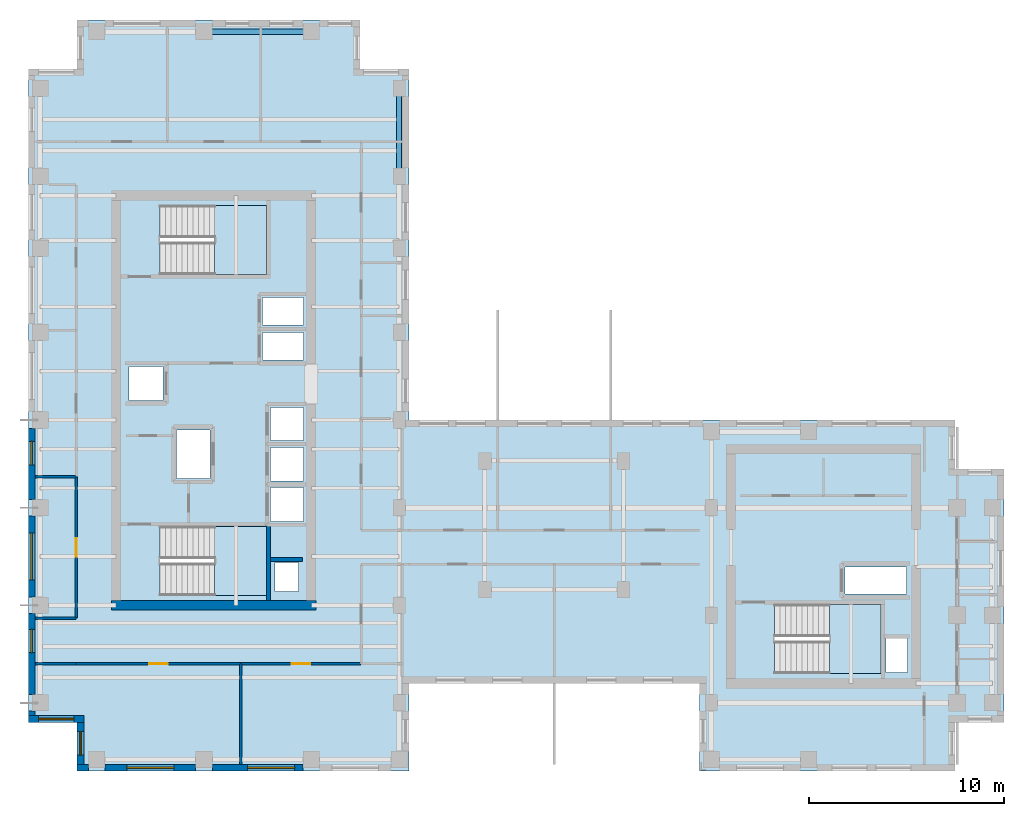
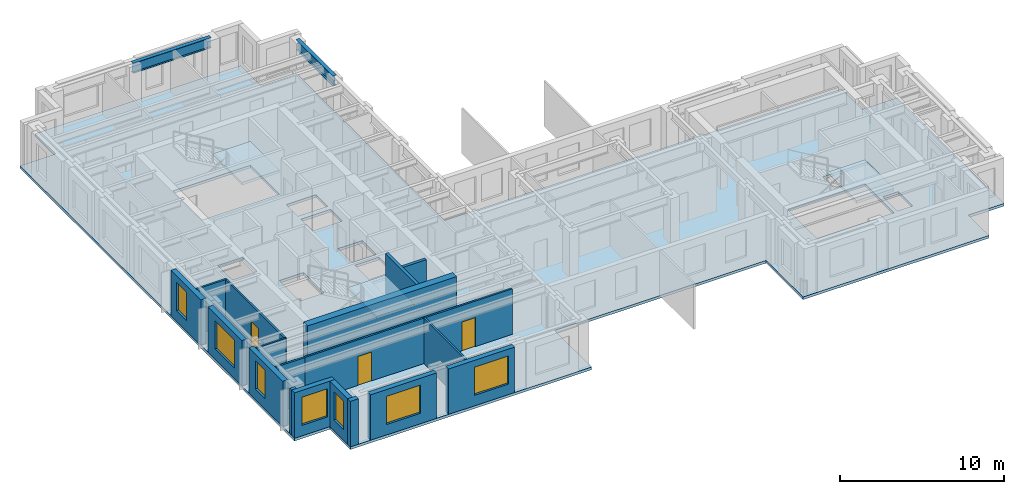
# One storey, part 2 of 10: 19 walls, 7 windows, 4 slabs, 3 doors, 2 beams, 10 openings, 3 elements without a shape of their own.
"""IFC4 building model written with IfcOpenShell, lengths in metres."""

from ifc_helpers import new_model, si_unit, direction, frame, frame_2d, origin, origin_2d, place, context, subcontext, project, spatial, polyline, rectangle, i_section, outline, extrude, source, transform, mapped, material, layer, layer_set, material_profile, profile_set, type_object, element, fill, aggregate, save


model = new_model("IFC4")

# Units and contexts
model_context = context("Model", 3, precision=1e-05, world=origin(), true_north=direction((0.0, 1.0)))
body_context = subcontext(model_context, "Body", "Model", "MODEL_VIEW")
ifc_project = project(units=[si_unit("LENGTHUNIT", "METRE"), si_unit("AREAUNIT", "SQUARE_METRE"), si_unit("VOLUMEUNIT", "CUBIC_METRE"), si_unit("PLANEANGLEUNIT", "RADIAN"), si_unit("MASSUNIT", "GRAM", prefix="KILO")], contexts=[model_context])

# Site, building, storey
site_placement = place(None, origin())
site = spatial("IfcSite", under=ifc_project, at=site_placement, CompositionType="ELEMENT")
building_placement = place(site_placement, origin())
building = spatial("IfcBuilding", under=site, at=building_placement, Name="Kharzan Plaza Tower", CompositionType="ELEMENT")
storey_placement = place(building_placement, frame((0.0, 0.0, 216.0)))
storey = spatial("IfcBuildingStorey", under=building, at=storey_placement, Name="L58", CompositionType="ELEMENT", Elevation=216.0)

# Beams
ifc_material_1 = material(Name="Steel S355", Category="steel")
ifc_material_profile = material_profile(ifc_material_1, i_section(OverallWidth=0.26708984375, OverallDepth=0.76611328125, WebThickness=0.014892578125, FlangeThickness=0.023681640625, at=origin_2d()), Name="W760x185")
ifc_profile_set = profile_set([ifc_material_profile], Name="Steel S355")
beam_type = type_object("IfcBeamType", Name="BM-SP760B", PredefinedType="SPANDREL", material=ifc_profile_set)
shared_shape_1 = source(origin(), body_context, "Body", "SweptSolid", [
    extrude(i_section(OverallWidth=0.26708984375, OverallDepth=0.76611328125, WebThickness=0.014892578125, FlangeThickness=0.023681640625, at=origin_2d()), origin(), (0.0, 0.0, 1.0), 4.5),
])
beam_1_placement = place(storey_placement, frame((19.0, 30.5, 3.01708984375), z_axis=(0.0, 1.0, 0.0), x_axis=(-1.0, 0.0, 0.0)))
element("IfcBeam", 1, at=beam_1_placement, inside=storey, type_object=beam_type, Name="L58 Perimeter Tube Spandrel", PredefinedType="SPANDREL", context=body_context, shape_type="MappedRepresentation", body=[
    mapped(shared_shape_1, transform((0.0, 0.0, 0.0), x_axis=(1.0, 0.0, 0.0), y_axis=(0.0, 1.0, 0.0), z_axis=(0.0, 0.0, 1.0))),
])
shared_shape_2 = source(origin(), body_context, "Body", "SweptSolid", [
    extrude(i_section(OverallWidth=0.26708984375, OverallDepth=0.76611328125, WebThickness=0.014892578125, FlangeThickness=0.023681640625, at=origin_2d()), origin(), (0.0, 0.0, 1.0), 5.5),
])
beam_2_placement = place(storey_placement, frame((9.0, 37.89990234375, 3.01708984375), z_axis=(1.0, 0.0, 0.0), x_axis=(0.0, 1.0, 0.0)))
element("IfcBeam", 2, at=beam_2_placement, inside=storey, type_object=beam_type, Name="L58 Perimeter Tube Spandrel", PredefinedType="SPANDREL", context=body_context, shape_type="MappedRepresentation", body=[
    mapped(shared_shape_2, transform((0.0, 0.0, 0.0), x_axis=(1.0, 0.0, 0.0), y_axis=(0.0, 1.0, 0.0), z_axis=(0.0, 0.0, 1.0))),
])

# Slab
ifc_material_2 = material(Name="Concrete C40/50", Category="concrete")
ifc_layer_1 = layer(ifc_material_2, 0.199951171875)
ifc_layer_set_1 = layer_set([ifc_layer_1], Name="Concrete C40/50")
slab_type_1 = type_object("IfcSlabType", Name="SL-FLOOR-200", PredefinedType="FLOOR", material=ifc_layer_set_1)
slab_1_placement = place(storey_placement, frame((0.0, 0.0, -0.199951171875)))
element("IfcSlab", 3, at=slab_1_placement, inside=storey, type_object=slab_type_1, Name="L58 Composite Structural Floor Slab 200 mm", PredefinedType="FLOOR", context=body_context, shape_type="SweptSolid", body=[
    extrude(outline(polyline([(34.39990234375, 18.0), (19.5, 18.0), (19.5, 36.0), (17.0, 36.0), (17.0, 38.5), (2.5, 38.5), (2.5, 36.0), (0.0, 36.0), (0.0, 2.5), (2.5, 2.5), (2.5, 0.0), (19.5, 0.0), (19.5, 4.5), (34.39990234375, 4.5), (34.39990234375, 0.0), (47.5, 0.0), (47.5, 2.5), (50.0, 2.5), (50.0, 15.5), (47.5, 15.5), (47.5, 18.0), (34.39990234375, 18.0)]), holes=[polyline([(12.199951171875, 12.550048828125), (6.75, 12.550048828125), (6.75, 9.0), (12.199951171875, 9.0), (12.199951171875, 12.550048828125)]), polyline([(14.10009765625, 12.800048828125), (14.10009765625, 14.530029296875), (12.39990234375, 14.530029296875), (12.39990234375, 12.800048828125), (14.10009765625, 12.800048828125)]), polyline([(9.300048828125, 15.0), (9.300048828125, 17.5), (7.60009765625, 17.5), (7.60009765625, 15.0), (9.300048828125, 15.0)]), polyline([(6.89990234375, 20.72998046875), (5.14990234375, 20.72998046875), (5.14990234375, 19.010009765625), (6.89990234375, 19.010009765625), (6.89990234375, 20.72998046875)]), polyline([(14.10009765625, 21.070068359375), (14.10009765625, 22.489990234375), (12.0, 22.489990234375), (12.0, 21.070068359375), (14.10009765625, 21.070068359375)]), polyline([(14.10009765625, 22.8701171875), (14.10009765625, 24.2900390625), (12.0, 24.2900390625), (12.0, 22.8701171875), (14.10009765625, 22.8701171875)]), polyline([(12.199951171875, 29.0), (6.75, 29.0), (6.75, 25.449951171875), (12.199951171875, 25.449951171875), (12.199951171875, 29.0)]), polyline([(45.050048828125, 5.050048828125), (45.050048828125, 6.800048828125), (43.949951171875, 6.800048828125), (43.949951171875, 5.050048828125), (45.050048828125, 5.050048828125)]), polyline([(43.699951171875, 5.0), (43.699951171875, 8.550048828125), (38.25, 8.550048828125), (38.25, 5.0), (43.699951171875, 5.0)]), polyline([(45.0, 9.070068359375), (45.0, 10.469970703125), (41.85009765625, 10.469970703125), (41.85009765625, 9.070068359375), (45.0, 9.070068359375)]), polyline([(13.85009765625, 9.199951171875), (13.85009765625, 10.699951171875), (12.64990234375, 10.699951171875), (12.64990234375, 9.199951171875), (13.85009765625, 9.199951171875)]), polyline([(14.10009765625, 14.8701171875), (14.10009765625, 16.60009765625), (12.39990234375, 16.60009765625), (12.39990234375, 14.8701171875), (14.10009765625, 14.8701171875)]), polyline([(14.10009765625, 16.93994140625), (14.10009765625, 18.64990234375), (12.39990234375, 18.64990234375), (12.39990234375, 16.93994140625), (14.10009765625, 16.93994140625)])]), origin(), (0.0, 0.0, 1.0), 0.199951171875),
])

# Stair, slab
stair_type_1 = type_object("IfcStairType", Name="STR-ST-1", PredefinedType="HALF_TURN_STAIR", material=ifc_material_2)
stair_1_placement = place(storey_placement, origin())
stair_1 = element("IfcStair", 4, at=stair_1_placement, inside=storey, type_object=stair_type_1, Name="L58 Protected Exit Stair ST-1", PredefinedType="HALF_TURN_STAIR")
ifc_layer_2 = layer(ifc_material_2, 0.219970703125)
ifc_layer_set_2 = layer_set([ifc_layer_2], Name="Concrete C40/50")
slab_type_2 = type_object("IfcSlabType", Name="SL-LANDING-220", PredefinedType="LANDING", material=ifc_layer_set_2)
slab_2_placement = place(storey_placement, frame((0.0, 0.0, 1.60009765625)))
slab_2 = element("IfcSlab", 5, at=slab_2_placement, type_object=slab_type_2, Name="ST-1 landing 1", PredefinedType="LANDING", context=body_context, shape_type="SweptSolid", body=[
    extrude(outline(polyline([(9.550048828125, 9.0), (12.199951171875, 9.0), (12.199951171875, 12.550048828125), (9.550048828125, 12.550048828125), (9.550048828125, 9.0)])), origin(), (0.0, 0.0, 1.0), 0.199951171875),
])
aggregate(stair_1, [slab_2])

stair_type_2 = type_object("IfcStairType", Name="STR-ST-2", PredefinedType="HALF_TURN_STAIR", material=ifc_material_2)
stair_2_placement = place(storey_placement, origin())
stair_2 = element("IfcStair", 6, at=stair_2_placement, inside=storey, type_object=stair_type_2, Name="L58 Protected Exit Stair ST-2", PredefinedType="HALF_TURN_STAIR")
slab_3_placement = place(storey_placement, frame((0.0, 0.0, 1.60009765625)))
slab_3 = element("IfcSlab", 7, at=slab_3_placement, type_object=slab_type_2, Name="ST-2 landing 1", PredefinedType="LANDING", context=body_context, shape_type="SweptSolid", body=[
    extrude(outline(polyline([(9.550048828125, 25.449951171875), (12.199951171875, 25.449951171875), (12.199951171875, 29.0), (9.550048828125, 29.0), (9.550048828125, 25.449951171875)])), origin(), (0.0, 0.0, 1.0), 0.199951171875),
])
aggregate(stair_2, [slab_3])

stair_type_3 = type_object("IfcStairType", Name="STR-ST-3", PredefinedType="HALF_TURN_STAIR", material=ifc_material_2)
stair_3_placement = place(storey_placement, origin())
stair_3 = element("IfcStair", 8, at=stair_3_placement, inside=storey, type_object=stair_type_3, Name="L58 Protected Exit Stair ST-3", PredefinedType="HALF_TURN_STAIR")
slab_4_placement = place(storey_placement, frame((0.0, 0.0, 1.60009765625)))
slab_4 = element("IfcSlab", 9, at=slab_4_placement, type_object=slab_type_2, Name="ST-3 landing 1", PredefinedType="LANDING", context=body_context, shape_type="SweptSolid", body=[
    extrude(outline(polyline([(41.050048828125, 5.0), (43.699951171875, 5.0), (43.699951171875, 8.550048828125), (41.050048828125, 8.550048828125), (41.050048828125, 5.0)])), origin(), (0.0, 0.0, 1.0), 0.199951171875),
])
aggregate(stair_3, [slab_4])

# Wall, opening, window
ifc_layer_3 = layer(ifc_material_2, 0.35009765625)
ifc_layer_set_3 = layer_set([ifc_layer_3], Name="Concrete C40/50")
wall_type_1 = type_object("IfcWallType", Name="WL-EXT-MAS-Z4", PredefinedType="SOLIDWALL", material=ifc_layer_set_3)
wall_1_placement = place(storey_placement, frame((0.175048828125, 17.576904296875, 0.0), z_axis=(0.0, 0.0, 1.0), x_axis=(0.0, -1.0, 0.0)))
wall_1 = element("IfcWall", 10, at=wall_1_placement, inside=storey, type_object=wall_type_1, Name="L58 Masonry-Frame Exterior Wall 14", PredefinedType="SOLIDWALL", context=body_context, shape_type="SweptSolid", body=[
    extrude(rectangle(XDim=3.65380859375, YDim=0.35009765625, at=frame_2d((1.826904296875, 0.0))), origin(), (0.0, 0.0, 1.0), 3.385009765625),
])
opening_1_placement = place(wall_1_placement, frame((0.673583984375, 0.0, 0.780029296875)))
opening_1 = element("IfcOpeningElement", 11, at=opening_1_placement, cuts=wall_1, Name="Opening W3", PredefinedType="OPENING", context=body_context, shape_type="SweptSolid", body=[
    extrude(rectangle(XDim=1.199951171875, YDim=2.10009765625, at=frame_2d((0.60009765625, 1.050048828125))), frame((0.0, 0.18505859375, 0.0), z_axis=(0.0, -1.0, 0.0), x_axis=(1.0, 0.0, 0.0)), (0.0, 0.0, 1.0), 0.3701171875),
])
ifc_material_3 = material(Name="Low-E Double Glazing", Category="glass")
window_type_1 = type_object("IfcWindowType", Name="WN-REC-1200x2100", PartitioningType="SINGLE_PANEL", PredefinedType="WINDOW", material=ifc_material_3)
shared_shape_3 = source(origin(), body_context, "Body", "SweptSolid", [
    extrude(rectangle(XDim=1.199951171875, YDim=2.10009765625, at=frame_2d((0.60009765625, 1.050048828125))), frame((0.0, 0.030029296875, 0.0), z_axis=(0.0, -1.0, 0.0), x_axis=(1.0, 0.0, 0.0)), (0.0, 0.0, 1.0), 0.06005859375),
])
window_1_placement = place(opening_1_placement, origin())
window_1 = element("IfcWindow", 12, at=window_1_placement, inside=storey, type_object=window_type_1, Name="L58 Recessed Solar-Control Window 14-1", OverallHeight=2.10009765625, OverallWidth=1.199951171875, PartitioningType="SINGLE_PANEL", PredefinedType="WINDOW", context=body_context, shape_type="MappedRepresentation", body=[
    mapped(shared_shape_3, transform((0.0, 0.0, 0.0), x_axis=(1.0, 0.0, 0.0), y_axis=(0.0, 1.0, 0.0), z_axis=(0.0, 0.0, 1.0))),
])
fill(opening_1, window_1)

wall_2_placement = place(storey_placement, frame((0.175048828125, 13.076904296875, 0.0), z_axis=(0.0, 0.0, 1.0), x_axis=(0.0, -1.0, 0.0)))
wall_2 = element("IfcWall", 13, at=wall_2_placement, inside=storey, type_object=wall_type_1, Name="L58 Masonry-Frame Exterior Wall 15", PredefinedType="SOLIDWALL", context=body_context, shape_type="SweptSolid", body=[
    extrude(rectangle(XDim=4.15380859375, YDim=0.35009765625, at=frame_2d((2.076904296875, 0.0))), origin(), (0.0, 0.0, 1.0), 3.385009765625),
])
opening_2_placement = place(wall_2_placement, frame((0.876953125, 0.0, 0.780029296875)))
opening_2 = element("IfcOpeningElement", 14, at=opening_2_placement, cuts=wall_2, Name="Opening W2", PredefinedType="OPENING", context=body_context, shape_type="SweptSolid", body=[
    extrude(rectangle(XDim=2.39990234375, YDim=2.10009765625, at=frame_2d((1.199951171875, 1.050048828125))), frame((0.0, 0.18505859375, 0.0), z_axis=(0.0, -1.0, 0.0), x_axis=(1.0, 0.0, 0.0)), (0.0, 0.0, 1.0), 0.3701171875),
])
window_type_2 = type_object("IfcWindowType", Name="WN-REC-2400x2100", PartitioningType="SINGLE_PANEL", PredefinedType="WINDOW", material=ifc_material_3)
shared_shape_4 = source(origin(), body_context, "Body", "SweptSolid", [
    extrude(rectangle(XDim=2.39990234375, YDim=2.10009765625, at=frame_2d((1.199951171875, 1.050048828125))), frame((0.0, 0.030029296875, 0.0), z_axis=(0.0, -1.0, 0.0), x_axis=(1.0, 0.0, 0.0)), (0.0, 0.0, 1.0), 0.06005859375),
])
window_2_placement = place(opening_2_placement, origin())
window_2 = element("IfcWindow", 15, at=window_2_placement, inside=storey, type_object=window_type_2, Name="L58 Wide Recessed Solar-Control Window 15-1", OverallHeight=2.10009765625, OverallWidth=2.39990234375, PartitioningType="SINGLE_PANEL", PredefinedType="WINDOW", context=body_context, shape_type="MappedRepresentation", body=[
    mapped(shared_shape_4, transform((0.0, 0.0, 0.0), x_axis=(1.0, 0.0, 0.0), y_axis=(0.0, 1.0, 0.0), z_axis=(0.0, 0.0, 1.0))),
])
fill(opening_2, window_2)

wall_3_placement = place(storey_placement, frame((0.175048828125, 8.076904296875, 0.0), z_axis=(0.0, 0.0, 1.0), x_axis=(0.0, -1.0, 0.0)))
wall_3 = element("IfcWall", 16, at=wall_3_placement, inside=storey, type_object=wall_type_1, Name="L58 Masonry-Frame Exterior Wall 16", PredefinedType="SOLIDWALL", context=body_context, shape_type="SweptSolid", body=[
    extrude(rectangle(XDim=4.15380859375, YDim=0.35009765625, at=frame_2d((2.076904296875, 0.0))), origin(), (0.0, 0.0, 1.0), 3.385009765625),
])
opening_3_placement = place(wall_3_placement, frame((0.802001953125, 0.0, 0.780029296875)))
opening_3 = element("IfcOpeningElement", 17, at=opening_3_placement, cuts=wall_3, Name="Opening W3", PredefinedType="OPENING", context=body_context, shape_type="SweptSolid", body=[
    extrude(rectangle(XDim=1.199951171875, YDim=2.10009765625, at=frame_2d((0.60009765625, 1.050048828125))), frame((0.0, 0.18505859375, 0.0), z_axis=(0.0, -1.0, 0.0), x_axis=(1.0, 0.0, 0.0)), (0.0, 0.0, 1.0), 0.3701171875),
])
window_3_placement = place(opening_3_placement, origin())
window_3 = element("IfcWindow", 18, at=window_3_placement, inside=storey, type_object=window_type_1, Name="L58 Recessed Solar-Control Window 16-1", OverallHeight=2.10009765625, OverallWidth=1.199951171875, PartitioningType="SINGLE_PANEL", PredefinedType="WINDOW", context=body_context, shape_type="MappedRepresentation", body=[
    mapped(shared_shape_3, transform((0.0, 0.0, 0.0), x_axis=(1.0, 0.0, 0.0), y_axis=(0.0, 1.0, 0.0), z_axis=(0.0, 0.0, 1.0))),
])
fill(opening_3, window_3)

wall_4_placement = place(storey_placement, frame((0.0, 2.675048828125, 0.0), z_axis=(0.0, 0.0, 1.0), x_axis=(1.0, 0.0, 0.0)))
wall_4 = element("IfcWall", 19, at=wall_4_placement, inside=storey, type_object=wall_type_1, Name="L58 Masonry-Frame Exterior Wall 18", PredefinedType="SOLIDWALL", context=body_context, shape_type="SweptSolid", body=[
    extrude(rectangle(XDim=2.85009765625, YDim=0.35009765625, at=frame_2d((1.425048828125, 0.0))), origin(), (0.0, 0.0, 1.0), 3.385009765625),
])
opening_4_placement = place(wall_4_placement, frame((0.52490234375, 0.0, 0.780029296875)))
opening_4 = element("IfcOpeningElement", 20, at=opening_4_placement, cuts=wall_4, Name="Opening W1", PredefinedType="OPENING", context=body_context, shape_type="SweptSolid", body=[
    extrude(rectangle(XDim=1.800048828125, YDim=2.10009765625, at=frame_2d((0.89990234375, 1.050048828125))), frame((0.0, 0.18505859375, 0.0), z_axis=(0.0, -1.0, 0.0), x_axis=(1.0, 0.0, 0.0)), (0.0, 0.0, 1.0), 0.3701171875),
])
window_type_3 = type_object("IfcWindowType", Name="WN-REC-1800x2100", PartitioningType="SINGLE_PANEL", PredefinedType="WINDOW", material=ifc_material_3)
shared_shape_5 = source(origin(), body_context, "Body", "SweptSolid", [
    extrude(rectangle(XDim=1.800048828125, YDim=2.10009765625, at=frame_2d((0.89990234375, 1.050048828125))), frame((0.0, 0.030029296875, 0.0), z_axis=(0.0, -1.0, 0.0), x_axis=(1.0, 0.0, 0.0)), (0.0, 0.0, 1.0), 0.06005859375),
])
window_4_placement = place(opening_4_placement, origin())
window_4 = element("IfcWindow", 21, at=window_4_placement, inside=storey, type_object=window_type_3, Name="L58 Recessed Solar-Control Window 18-1", OverallHeight=2.10009765625, OverallWidth=1.800048828125, PartitioningType="SINGLE_PANEL", PredefinedType="WINDOW", context=body_context, shape_type="MappedRepresentation", body=[
    mapped(shared_shape_5, transform((0.0, 0.0, 0.0), x_axis=(1.0, 0.0, 0.0), y_axis=(0.0, 1.0, 0.0), z_axis=(0.0, 0.0, 1.0))),
])
fill(opening_4, window_4)

wall_5_placement = place(storey_placement, frame((2.675048828125, 2.501953125, 0.0), z_axis=(0.0, 0.0, 1.0), x_axis=(0.0, -1.0, 0.0)))
wall_5 = element("IfcWall", 22, at=wall_5_placement, inside=storey, type_object=wall_type_1, Name="L58 Masonry-Frame Exterior Wall 19", PredefinedType="SOLIDWALL", context=body_context, shape_type="SweptSolid", body=[
    extrude(rectangle(XDim=2.154052734375, YDim=0.35009765625, at=frame_2d((1.0771484375, 0.0))), origin(), (0.0, 0.0, 1.0), 3.385009765625),
])
opening_5_placement = place(wall_5_placement, frame((0.47705078125, 0.0, 0.780029296875)))
opening_5 = element("IfcOpeningElement", 23, at=opening_5_placement, cuts=wall_5, Name="Opening W3", PredefinedType="OPENING", context=body_context, shape_type="SweptSolid", body=[
    extrude(rectangle(XDim=1.199951171875, YDim=2.10009765625, at=frame_2d((0.60009765625, 1.050048828125))), frame((0.0, 0.18505859375, 0.0), z_axis=(0.0, -1.0, 0.0), x_axis=(1.0, 0.0, 0.0)), (0.0, 0.0, 1.0), 0.3701171875),
])
window_5_placement = place(opening_5_placement, origin())
window_5 = element("IfcWindow", 24, at=window_5_placement, inside=storey, type_object=window_type_1, Name="L58 Recessed Solar-Control Window 19-1", OverallHeight=2.10009765625, OverallWidth=1.199951171875, PartitioningType="SINGLE_PANEL", PredefinedType="WINDOW", context=body_context, shape_type="MappedRepresentation", body=[
    mapped(shared_shape_3, transform((0.0, 0.0, 0.0), x_axis=(1.0, 0.0, 0.0), y_axis=(0.0, 1.0, 0.0), z_axis=(0.0, 0.0, 1.0))),
])
fill(opening_5, window_5)

wall_6_placement = place(storey_placement, frame((3.923095703125, 0.175048828125, 0.0), z_axis=(0.0, 0.0, 1.0), x_axis=(1.0, 0.0, 0.0)))
wall_6 = element("IfcWall", 25, at=wall_6_placement, inside=storey, type_object=wall_type_1, Name="L58 Masonry-Frame Exterior Wall 21", PredefinedType="SOLIDWALL", context=body_context, shape_type="SweptSolid", body=[
    extrude(rectangle(XDim=4.65380859375, YDim=0.35009765625, at=frame_2d((2.326904296875, 0.0))), origin(), (0.0, 0.0, 1.0), 3.385009765625),
])
opening_6_placement = place(wall_6_placement, frame((1.126953125, 0.0, 0.780029296875)))
opening_6 = element("IfcOpeningElement", 26, at=opening_6_placement, cuts=wall_6, Name="Opening W2", PredefinedType="OPENING", context=body_context, shape_type="SweptSolid", body=[
    extrude(rectangle(XDim=2.39990234375, YDim=2.10009765625, at=frame_2d((1.199951171875, 1.050048828125))), frame((0.0, 0.18505859375, 0.0), z_axis=(0.0, -1.0, 0.0), x_axis=(1.0, 0.0, 0.0)), (0.0, 0.0, 1.0), 0.3701171875),
])
window_6_placement = place(opening_6_placement, origin())
window_6 = element("IfcWindow", 27, at=window_6_placement, inside=storey, type_object=window_type_2, Name="L58 Wide Recessed Solar-Control Window 21-1", OverallHeight=2.10009765625, OverallWidth=2.39990234375, PartitioningType="SINGLE_PANEL", PredefinedType="WINDOW", context=body_context, shape_type="MappedRepresentation", body=[
    mapped(shared_shape_4, transform((0.0, 0.0, 0.0), x_axis=(1.0, 0.0, 0.0), y_axis=(0.0, 1.0, 0.0), z_axis=(0.0, 0.0, 1.0))),
])
fill(opening_6, window_6)

wall_7_placement = place(storey_placement, frame((9.423095703125, 0.175048828125, 0.0), z_axis=(0.0, 0.0, 1.0), x_axis=(1.0, 0.0, 0.0)))
wall_7 = element("IfcWall", 28, at=wall_7_placement, inside=storey, type_object=wall_type_1, Name="L58 Masonry-Frame Exterior Wall 22", PredefinedType="SOLIDWALL", context=body_context, shape_type="SweptSolid", body=[
    extrude(rectangle(XDim=4.65380859375, YDim=0.35009765625, at=frame_2d((2.326904296875, 0.0))), origin(), (0.0, 0.0, 1.0), 3.385009765625),
])
opening_7_placement = place(wall_7_placement, frame((1.818115234375, 0.0, 0.780029296875)))
opening_7 = element("IfcOpeningElement", 29, at=opening_7_placement, cuts=wall_7, Name="Opening W2", PredefinedType="OPENING", context=body_context, shape_type="SweptSolid", body=[
    extrude(rectangle(XDim=2.39990234375, YDim=2.10009765625, at=frame_2d((1.199951171875, 1.050048828125))), frame((0.0, 0.18505859375, 0.0), z_axis=(0.0, -1.0, 0.0), x_axis=(1.0, 0.0, 0.0)), (0.0, 0.0, 1.0), 0.3701171875),
])
window_7_placement = place(opening_7_placement, origin())
window_7 = element("IfcWindow", 30, at=window_7_placement, inside=storey, type_object=window_type_2, Name="L58 Wide Recessed Solar-Control Window 22-1", OverallHeight=2.10009765625, OverallWidth=2.39990234375, PartitioningType="SINGLE_PANEL", PredefinedType="WINDOW", context=body_context, shape_type="MappedRepresentation", body=[
    mapped(shared_shape_4, transform((0.0, 0.0, 0.0), x_axis=(1.0, 0.0, 0.0), y_axis=(0.0, 1.0, 0.0), z_axis=(0.0, 0.0, 1.0))),
])
fill(opening_7, window_7)

# Wall, opening, door
ifc_material_4 = material(Name="Fire-Rated Gypsum Board Partition", Category="gypsum")
ifc_layer_4 = layer(ifc_material_4, 0.125)
ifc_layer_set_4 = layer_set([ifc_layer_4], Name="Fire-Rated Gypsum Board Partition")
wall_type_2 = type_object("IfcWallType", Name="WL-INT-PART-125", PredefinedType="PARTITIONING", material=ifc_layer_set_4)
wall_8_placement = place(storey_placement, frame((2.449951171875, 5.5, 0.0), z_axis=(0.0, 0.0, 1.0), x_axis=(1.0, 0.0, 0.0)))
wall_8 = element("IfcWall", 31, at=wall_8_placement, inside=storey, type_object=wall_type_2, Name="L58 Interior Partition SH-SS-1", PredefinedType="PARTITIONING", context=body_context, shape_type="SweptSolid", body=[
    extrude(rectangle(XDim=8.425048828125, YDim=0.125, at=frame_2d((4.21240234375, 0.0))), origin(), (0.0, 0.0, 1.0), 3.385009765625),
])
opening_8_placement = place(wall_8_placement, frame((3.737548828125, 0.0, 0.0)))
opening_8 = element("IfcOpeningElement", 32, at=opening_8_placement, cuts=wall_8, Name="Opening OD1", PredefinedType="OPENING", context=body_context, shape_type="SweptSolid", body=[
    extrude(rectangle(XDim=0.949951171875, YDim=2.14990234375, at=frame_2d((0.47509765625, 1.074951171875))), frame((0.0, 0.072509765625, 0.0), z_axis=(0.0, -1.0, 0.0), x_axis=(1.0, 0.0, 0.0)), (0.0, 0.0, 1.0), 0.14501953125),
])
ifc_material_5 = material(Name="Acoustic Solid-Core Stained Oak", Category="timber")
door_type = type_object("IfcDoorType", Name="DR-OFF-SINGLE", OperationType="NOTDEFINED", PredefinedType="DOOR", material=ifc_material_5)
shared_shape_6 = source(origin(), body_context, "Body", "SweptSolid", [
    extrude(rectangle(XDim=0.949951171875, YDim=2.14990234375, at=frame_2d((0.47509765625, 1.074951171875))), frame((0.0, 0.02490234375, 0.0), z_axis=(0.0, -1.0, 0.0), x_axis=(1.0, 0.0, 0.0)), (0.0, 0.0, 1.0), 0.050048828125),
])
door_1_placement = place(opening_8_placement, origin())
door_1 = element("IfcDoor", 33, at=door_1_placement, inside=storey, type_object=door_type, Name="L58 Executive Boardroom Door", OperationType="SINGLE_SWING_LEFT", OverallHeight=2.14990234375, OverallWidth=0.949951171875, PredefinedType="DOOR", context=body_context, shape_type="MappedRepresentation", body=[
    mapped(shared_shape_6, transform((0.0, 0.0, 0.0), x_axis=(1.0, 0.0, 0.0), y_axis=(0.0, 1.0, 0.0), z_axis=(0.0, 0.0, 1.0))),
])
fill(opening_8, door_1)

wall_9_placement = place(storey_placement, frame((10.875, 5.5, 0.0), z_axis=(0.0, 0.0, 1.0), x_axis=(1.0, 0.0, 0.0)))
wall_9 = element("IfcWall", 34, at=wall_9_placement, inside=storey, type_object=wall_type_2, Name="L58 Interior Partition SH-SS-2", PredefinedType="PARTITIONING", context=body_context, shape_type="SweptSolid", body=[
    extrude(rectangle(XDim=6.175048828125, YDim=0.125, at=frame_2d((3.08740234375, 0.0))), origin(), (0.0, 0.0, 1.0), 3.385009765625),
])
opening_9_placement = place(wall_9_placement, frame((2.612548828125, 0.0, 0.0)))
opening_9 = element("IfcOpeningElement", 35, at=opening_9_placement, cuts=wall_9, Name="Opening OD1", PredefinedType="OPENING", context=body_context, shape_type="SweptSolid", body=[
    extrude(rectangle(XDim=0.949951171875, YDim=2.14990234375, at=frame_2d((0.47509765625, 1.074951171875))), frame((0.0, 0.072509765625, 0.0), z_axis=(0.0, -1.0, 0.0), x_axis=(1.0, 0.0, 0.0)), (0.0, 0.0, 1.0), 0.14501953125),
])
door_2_placement = place(opening_9_placement, origin())
door_2 = element("IfcDoor", 36, at=door_2_placement, inside=storey, type_object=door_type, Name="L58 Staff Tea Pantry Door", OperationType="SINGLE_SWING_RIGHT", OverallHeight=2.14990234375, OverallWidth=0.949951171875, PredefinedType="DOOR", context=body_context, shape_type="MappedRepresentation", body=[
    mapped(shared_shape_6, transform((0.0, 0.0, 0.0), x_axis=(1.0, 0.0, 0.0), y_axis=(0.0, 1.0, 0.0), z_axis=(0.0, 0.0, 1.0))),
])
fill(opening_9, door_2)

wall_10_placement = place(storey_placement, frame((2.449951171875, 7.85009765625, 0.0), z_axis=(0.0, 0.0, 1.0), x_axis=(0.0, 1.0, 0.0)))
wall_10 = element("IfcWall", 37, at=wall_10_placement, inside=storey, type_object=wall_type_2, Name="L58 Interior Partition SH-WW-1", PredefinedType="PARTITIONING", context=body_context, shape_type="SweptSolid", body=[
    extrude(rectangle(XDim=7.25, YDim=0.125, at=frame_2d((3.625, 0.0))), origin(), (0.0, 0.0, 1.0), 3.385009765625),
])
opening_10_placement = place(wall_10_placement, frame((3.14990234375, 0.0, 0.0)))
opening_10 = element("IfcOpeningElement", 38, at=opening_10_placement, cuts=wall_10, Name="Opening OD1", PredefinedType="OPENING", context=body_context, shape_type="SweptSolid", body=[
    extrude(rectangle(XDim=0.949951171875, YDim=2.14990234375, at=frame_2d((0.47509765625, 1.074951171875))), frame((0.0, 0.072509765625, 0.0), z_axis=(0.0, -1.0, 0.0), x_axis=(1.0, 0.0, 0.0)), (0.0, 0.0, 1.0), 0.14501953125),
])
door_3_placement = place(opening_10_placement, origin())
door_3 = element("IfcDoor", 39, at=door_3_placement, inside=storey, type_object=door_type, Name="L58 Conference Room Door", OperationType="SINGLE_SWING_RIGHT", OverallHeight=2.14990234375, OverallWidth=0.949951171875, PredefinedType="DOOR", context=body_context, shape_type="MappedRepresentation", body=[
    mapped(shared_shape_6, transform((0.0, 0.0, 0.0), x_axis=(1.0, 0.0, 0.0), y_axis=(0.0, 1.0, 0.0), z_axis=(0.0, 0.0, 1.0))),
])
fill(opening_10, door_3)

# Walls
shared_shape_7 = source(origin(), body_context, "Body", "SweptSolid", [
    extrude(rectangle(XDim=2.097900390625, YDim=0.125, at=frame_2d((1.048828125, 0.0))), origin(), (0.0, 0.0, 1.0), 3.385009765625),
])
for number, where, z_axis, x_axis, name in (
    (40, (0.35205078125, 7.85009765625, 0.0), (0.0, 0.0, 1.0), (1.0, 0.0, 0.0), "L58 Interior Partition SH-RWS0"),
    (41, (0.35205078125, 5.5, 0.0), (0.0, 0.0, 1.0), (1.0, 0.0, 0.0), "L58 Interior Partition SH-SS-EXT"),
    (42, (0.35205078125, 15.10009765625, 0.0), (0.0, 0.0, 1.0), (1.0, 0.0, 0.0), "L58 Interior Partition SH-WH-1"),
):
    element("IfcWall", number, at=place(storey_placement, frame(where, z_axis=z_axis, x_axis=x_axis)), inside=storey, type_object=wall_type_2, Name=name, PredefinedType="PARTITIONING", context=body_context, shape_type="MappedRepresentation", body=[
        mapped(shared_shape_7, transform((0.0, 0.0, 0.0), x_axis=(1.0, 0.0, 0.0), y_axis=(0.0, 1.0, 0.0), z_axis=(0.0, 0.0, 1.0))),
    ])
ifc_layer_5 = layer(ifc_material_2, 0.199951171875)
ifc_layer_set_5 = layer_set([ifc_layer_5], Name="Concrete C40/50")
wall_type_3 = type_object("IfcWallType", Name="WL-INT-SHAFT-200", PredefinedType="PARTITIONING", material=ifc_layer_set_5)
shared_shape_8 = source(origin(), body_context, "Body", "SweptSolid", [
    extrude(rectangle(XDim=1.630126953125, YDim=0.199951171875, at=frame_2d((0.81494140625, 0.0))), origin(), (0.0, 0.0, 1.0), 3.385009765625),
])
wall_11_placement = place(storey_placement, frame((12.419921875, 10.85009765625, 0.0), z_axis=(0.0, 0.0, 1.0), x_axis=(1.0, 0.0, 0.0)))
element("IfcWall", 43, at=wall_11_placement, inside=storey, type_object=wall_type_3, Name="L58 Interior Partition CA-RSRA-N", PredefinedType="PARTITIONING", context=body_context, shape_type="MappedRepresentation", body=[
    mapped(shared_shape_8, transform((0.0, 0.0, 0.0), x_axis=(1.0, 0.0, 0.0), y_axis=(0.0, 1.0, 0.0), z_axis=(0.0, 0.0, 1.0))),
])
shared_shape_9 = source(origin(), body_context, "Body", "SweptSolid", [
    extrude(rectangle(XDim=0.576904296875, YDim=0.35009765625, at=frame_2d((0.28857421875, 0.0))), origin(), (0.0, 0.0, 1.0), 3.385009765625),
])
wall_12_placement = place(storey_placement, frame((2.5, 0.175048828125, 0.0), z_axis=(0.0, 0.0, 1.0), x_axis=(1.0, 0.0, 0.0)))
element("IfcWall", 44, at=wall_12_placement, inside=storey, type_object=wall_type_1, Name="L58 Masonry-Frame Exterior Wall 20", PredefinedType="SOLIDWALL", context=body_context, shape_type="MappedRepresentation", body=[
    mapped(shared_shape_9, transform((0.0, 0.0, 0.0), x_axis=(1.0, 0.0, 0.0), y_axis=(0.0, 1.0, 0.0), z_axis=(0.0, 0.0, 1.0))),
])
shared_shape_10 = source(origin(), body_context, "Body", "SweptSolid", [
    extrude(rectangle(XDim=0.22900390625, YDim=0.35009765625, at=frame_2d((0.114501953125, 0.0))), origin(), (0.0, 0.0, 1.0), 3.385009765625),
])
wall_13_placement = place(storey_placement, frame((0.175048828125, 3.076904296875, 0.0), z_axis=(0.0, 0.0, 1.0), x_axis=(0.0, -1.0, 0.0)))
element("IfcWall", 45, at=wall_13_placement, inside=storey, type_object=wall_type_1, Name="L58 Masonry-Frame Exterior Wall 17", PredefinedType="SOLIDWALL", context=body_context, shape_type="MappedRepresentation", body=[
    mapped(shared_shape_10, transform((0.0, 0.0, 0.0), x_axis=(1.0, 0.0, 0.0), y_axis=(0.0, 1.0, 0.0), z_axis=(0.0, 0.0, 1.0))),
])
ifc_material_6 = material(Name="Concrete C50/60", Category="concrete")
ifc_layer_6 = layer(ifc_material_6, 0.5)
ifc_layer_set_6 = layer_set([ifc_layer_6], Name="Concrete C50/60")
wall_type_4 = type_object("IfcWallType", Name="WL-CORE-500", PredefinedType="SHEAR", material=ifc_layer_set_6)
shared_shape_11 = source(origin(), body_context, "Body", "SweptSolid", [
    extrude(rectangle(XDim=10.5, YDim=0.5, at=frame_2d((5.25, 0.0))), origin(), (0.0, 0.0, 1.0), 3.39990234375),
])
wall_14_placement = place(storey_placement, frame((4.25, 8.5, 0.0), z_axis=(0.0, 0.0, 1.0), x_axis=(1.0, 0.0, 0.0)))
element("IfcWall", 46, at=wall_14_placement, inside=storey, type_object=wall_type_4, Name="L58 CORE-A south RC shear wall", PredefinedType="SHEAR", context=body_context, shape_type="MappedRepresentation", body=[
    mapped(shared_shape_11, transform((0.0, 0.0, 0.0), x_axis=(1.0, 0.0, 0.0), y_axis=(0.0, 1.0, 0.0), z_axis=(0.0, 0.0, 1.0))),
])
shared_shape_12 = source(origin(), body_context, "Body", "SweptSolid", [
    extrude(rectangle(XDim=5.14794921875, YDim=0.125, at=frame_2d((2.573974609375, 0.0))), origin(), (0.0, 0.0, 1.0), 3.385009765625),
])
wall_15_placement = place(storey_placement, frame((10.875, 0.35205078125, 0.0), z_axis=(0.0, 0.0, 1.0), x_axis=(0.0, 1.0, 0.0)))
element("IfcWall", 47, at=wall_15_placement, inside=storey, type_object=wall_type_2, Name="L58 Interior Partition SH-SV-1", PredefinedType="PARTITIONING", context=body_context, shape_type="MappedRepresentation", body=[
    mapped(shared_shape_12, transform((0.0, 0.0, 0.0), x_axis=(1.0, 0.0, 0.0), y_axis=(0.0, 1.0, 0.0), z_axis=(0.0, 0.0, 1.0))),
])
ifc_layer_7 = layer(ifc_material_6, 0.199951171875)
ifc_layer_set_7 = layer_set([ifc_layer_7], Name="Concrete C50/60")
wall_type_5 = type_object("IfcWallType", Name="WL-SHAFT-RC200", PredefinedType="SHEAR", material=ifc_layer_set_7)
shared_shape_13 = source(origin(), body_context, "Body", "SweptSolid", [
    extrude(rectangle(XDim=3.802978515625, YDim=0.199951171875, at=frame_2d((1.9013671875, 0.0))), origin(), (0.0, 0.0, 1.0), 3.39990234375),
])
wall_16_placement = place(storey_placement, frame((12.304931640625, 8.751953125, 0.0), z_axis=(0.0, 0.0, 1.0), x_axis=(0.0, 1.0, 0.0)))
element("IfcWall", 48, at=wall_16_placement, inside=storey, type_object=wall_type_5, Name="L58 Stair ST-1 East RC Shaft Wall", PredefinedType="SHEAR", context=body_context, shape_type="MappedRepresentation", body=[
    mapped(shared_shape_13, transform((0.0, 0.0, 0.0), x_axis=(1.0, 0.0, 0.0), y_axis=(0.0, 1.0, 0.0), z_axis=(0.0, 0.0, 1.0))),
])

save(model, "model.ifc")
